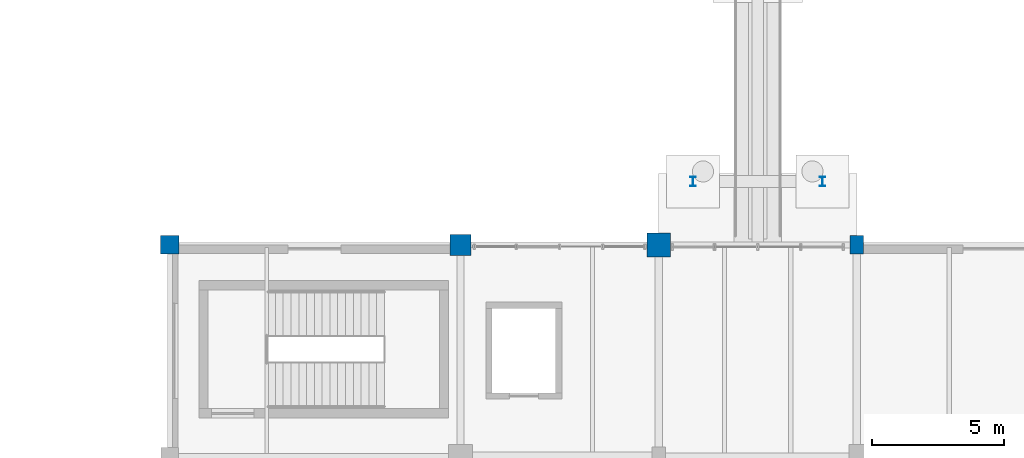
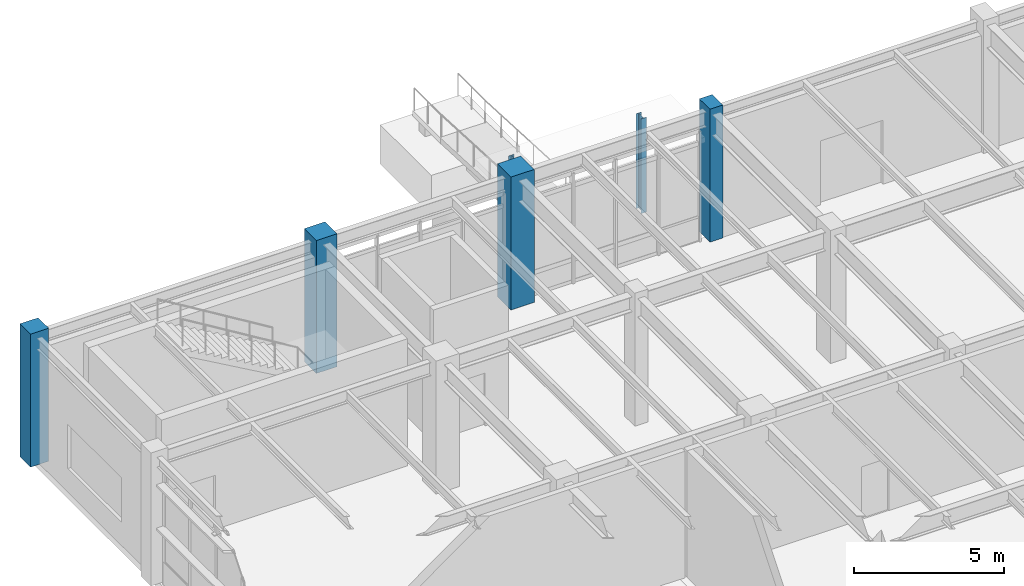
# One storey, part 23 of 203: 6 columns.
"""IFC4 building model written with IfcOpenShell, lengths in metres."""

from ifc_helpers import new_model, si_unit, direction, frame, origin, origin_2d, place, context, subcontext, project, spatial, rectangle, i_section, extrude, material, material_profile, profile_set, type_object, element, save


model = new_model("IFC4")

# Units and contexts
model_context = context("Model", 3, precision=1e-05, world=origin(), true_north=direction((0.0, 1.0)))
body_context = subcontext(model_context, "Body", "Model", "MODEL_VIEW")
ifc_project = project(units=[si_unit("LENGTHUNIT", "METRE"), si_unit("AREAUNIT", "SQUARE_METRE"), si_unit("VOLUMEUNIT", "CUBIC_METRE"), si_unit("PLANEANGLEUNIT", "RADIAN"), si_unit("MASSUNIT", "GRAM", prefix="KILO"), si_unit("THERMODYNAMICTEMPERATUREUNIT", "KELVIN"), si_unit("POWERUNIT", "WATT")], contexts=[model_context])

# Site, building, storey
site_placement = place(None, origin())
site = spatial("IfcSite", under=ifc_project, at=site_placement, CompositionType="ELEMENT")
building_placement = place(site_placement, origin())
building = spatial("IfcBuilding", under=site, at=building_placement, Name="Tepalcoro Natatorium and Aquatics Centre", CompositionType="ELEMENT")
storey_placement = place(building_placement, origin())
storey = spatial("IfcBuildingStorey", under=building, at=storey_placement, Name="L00", CompositionType="ELEMENT", Elevation=0.0)

# Columns
ifc_material_1 = material(Name="Steel ASTM A992 Grade 50 (Fy 345 MPa)", Category="steel")
ifc_material_profile_1 = material_profile(ifc_material_1, i_section(OverallWidth=0.205078125, OverallDepth=0.35302734375, WebThickness=0.009033203125, FlangeThickness=0.01708984375, FilletRadius=0.013916015625, at=origin_2d()), Name="W14X53")
ifc_profile_set_1 = profile_set([ifc_material_profile_1], Name="Steel ASTM A992 Grade 50 (Fy 345 MPa)")
column_type_1 = type_object("IfcColumnType", Name="COL_CHS324x16", PredefinedType="COLUMN", material=ifc_profile_set_1)
for number, where, z_axis, x_axis, name in (
    (1, (29.800048828125, 120.39990234375, 0.0), (0.0, 0.0, 1.0), (1.0, 0.0, 0.0), "Canopy Support Post CN_V4_N1-1"),
    (2, (34.699951171875, 120.39990234375, 0.0), (0.0, 0.0, 1.0), (1.0, 0.0, 0.0), "Canopy Support Post CN_V4_N1-2"),
):
    element("IfcColumn", number, at=place(storey_placement, frame(where, z_axis=z_axis, x_axis=x_axis)), inside=storey, type_object=column_type_1, Name=name, PredefinedType="COLUMN", context=body_context, shape_type="SweptSolid", body=[
        extrude(i_section(OverallWidth=0.205078125, OverallDepth=0.35302734375, WebThickness=0.009033203125, FlangeThickness=0.01708984375, FilletRadius=0.013916015625, at=origin_2d()), origin(), (0.0, 0.0, 1.0), 3.85009765625),
    ])
ifc_material_2 = material(Name="Concrete C40/50 (fc 40 MPa)", Category="concrete")
ifc_material_profile_2 = material_profile(ifc_material_2, rectangle(XDim=0.5, YDim=0.699951171875, at=origin_2d()), Name="RC500x700")
ifc_profile_set_2 = profile_set([ifc_material_profile_2], Name="Concrete C40/50 (fc 40 MPa)")
column_type_2 = type_object("IfcColumnType", Name="COL_RC_500x700", PredefinedType="COLUMN", material=ifc_profile_set_2)
column_1_placement = place(storey_placement, frame((36.0, 118.0, 0.0), z_axis=(0.0, 0.0, 1.0), x_axis=(1.0, 0.0, 0.0)))
element("IfcColumn", 3, at=column_1_placement, inside=storey, type_object=column_type_2, Name="V4 L00 Grid Column (36.0, 118.0)", PredefinedType="COLUMN", context=body_context, shape_type="SweptSolid", body=[
    extrude(rectangle(XDim=0.5, YDim=0.699951171875, at=origin_2d()), origin(), (0.0, 0.0, 1.0), 5.39990234375),
])
ifc_material_profile_3 = material_profile(ifc_material_2, rectangle(XDim=0.699951171875, YDim=0.699951171875, at=origin_2d()), Name="RC700x700")
ifc_profile_set_3 = profile_set([ifc_material_profile_3], Name="Concrete C40/50 (fc 40 MPa)")
column_type_3 = type_object("IfcColumnType", Name="COL_RC_700x700", PredefinedType="COLUMN", material=ifc_profile_set_3)
column_2_placement = place(storey_placement, frame((10.0, 118.0, 0.0), z_axis=(0.0, 0.0, 1.0), x_axis=(1.0, 0.0, 0.0)))
element("IfcColumn", 4, at=column_2_placement, inside=storey, type_object=column_type_3, Name="V4 L00 Grid Column (10.0, 118.0)", PredefinedType="COLUMN", context=body_context, shape_type="SweptSolid", body=[
    extrude(rectangle(XDim=0.699951171875, YDim=0.699951171875, at=origin_2d()), origin(), (0.0, 0.0, 1.0), 5.39990234375),
])
ifc_material_profile_4 = material_profile(ifc_material_2, rectangle(XDim=0.800048828125, YDim=0.800048828125, at=origin_2d()), Name="RC800x800")
ifc_profile_set_4 = profile_set([ifc_material_profile_4], Name="Concrete C40/50 (fc 40 MPa)")
column_type_4 = type_object("IfcColumnType", Name="COL_RC_800x800", PredefinedType="COLUMN", material=ifc_profile_set_4)
column_3_placement = place(storey_placement, frame((21.0, 118.0, 0.0), z_axis=(0.0, 0.0, 1.0), x_axis=(1.0, 0.0, 0.0)))
element("IfcColumn", 5, at=column_3_placement, inside=storey, type_object=column_type_4, Name="V4 L00 Grid Column (21.0, 118.0)", PredefinedType="COLUMN", context=body_context, shape_type="SweptSolid", body=[
    extrude(rectangle(XDim=0.800048828125, YDim=0.800048828125, at=origin_2d()), origin(), (0.0, 0.0, 1.0), 5.39990234375),
])
ifc_material_profile_5 = material_profile(ifc_material_2, rectangle(XDim=0.89990234375, YDim=0.89990234375, at=origin_2d()), Name="RC900x900")
ifc_profile_set_5 = profile_set([ifc_material_profile_5], Name="Concrete C40/50 (fc 40 MPa)")
column_type_5 = type_object("IfcColumnType", Name="COL_RC_900x900", PredefinedType="COLUMN", material=ifc_profile_set_5)
column_4_placement = place(storey_placement, frame((28.5, 118.0, 0.0), z_axis=(0.0, 0.0, 1.0), x_axis=(1.0, 0.0, 0.0)))
element("IfcColumn", 6, at=column_4_placement, inside=storey, type_object=column_type_5, Name="V4 L00 Grid Column (28.5, 118.0)", PredefinedType="COLUMN", context=body_context, shape_type="SweptSolid", body=[
    extrude(rectangle(XDim=0.89990234375, YDim=0.89990234375, at=origin_2d()), origin(), (0.0, 0.0, 1.0), 5.39990234375),
])

save(model, "model.ifc")
